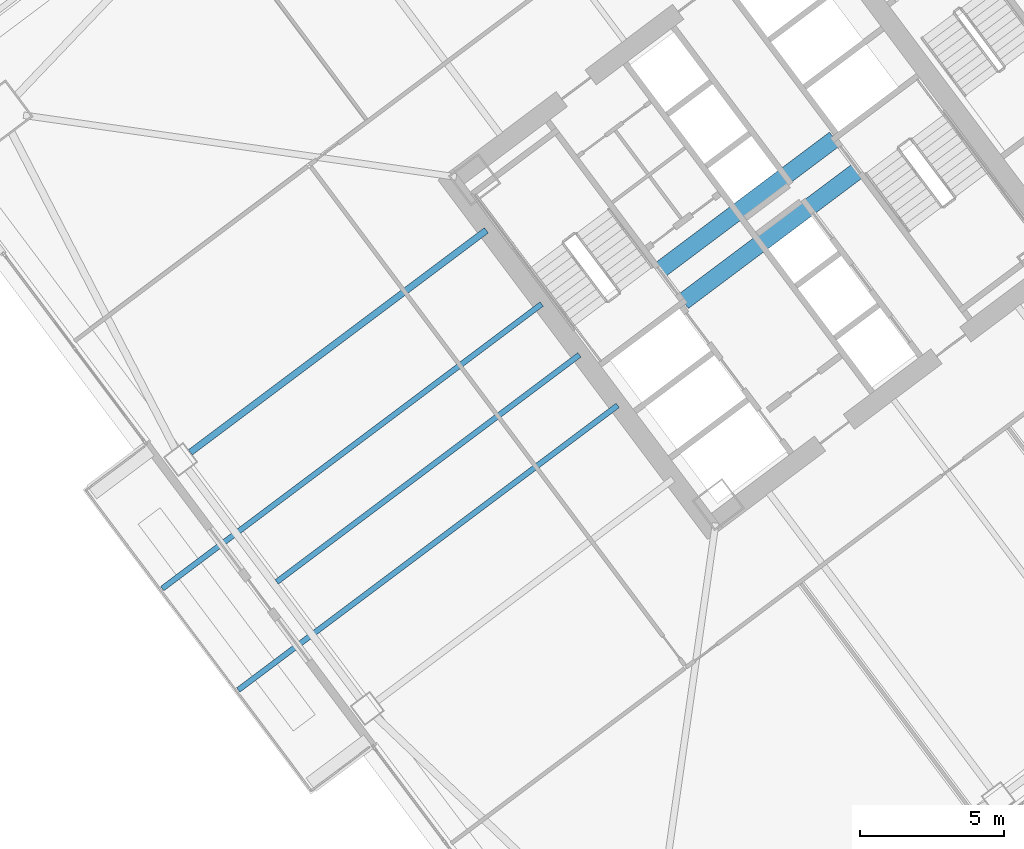
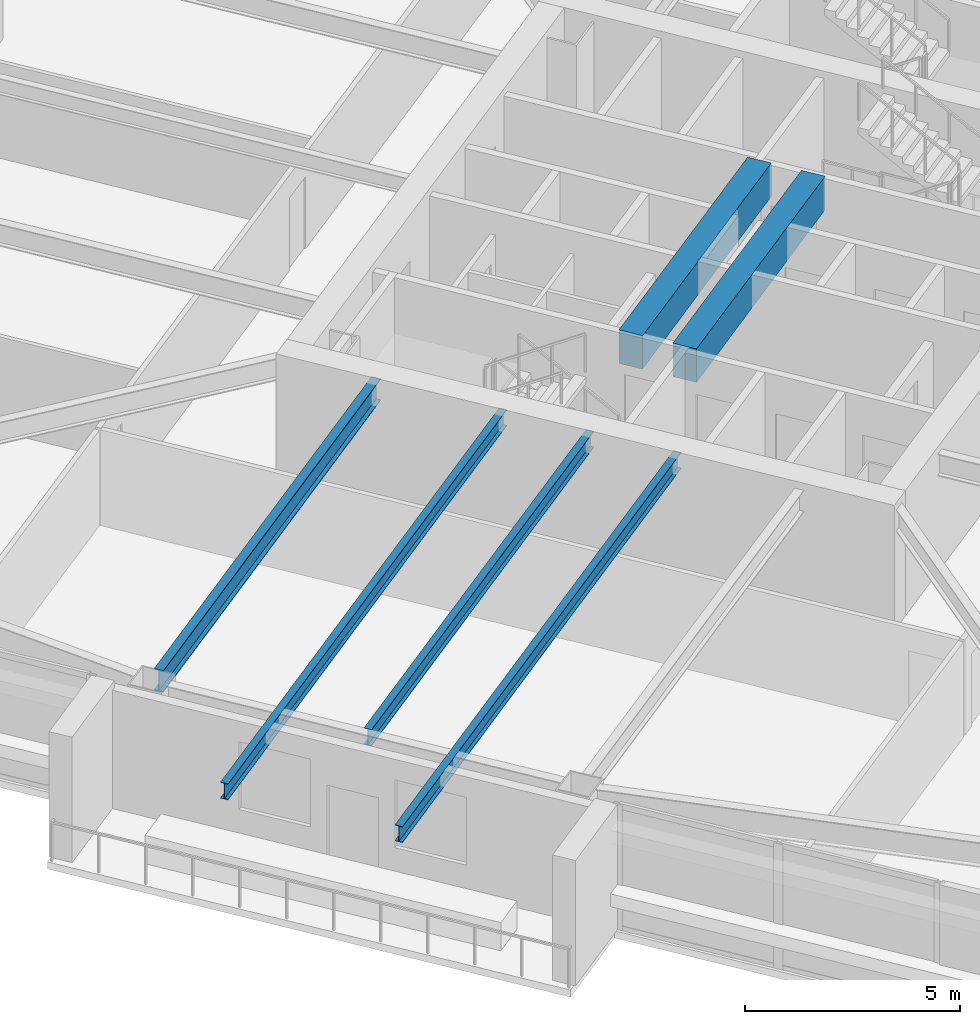
# One storey, part 22 of 46: 6 beams.
"""IFC4 building model written with IfcOpenShell, lengths in metres."""

from ifc_helpers import new_model, si_unit, direction, frame, origin, origin_2d, place, context, subcontext, project, spatial, rectangle, i_section, extrude, material, material_profile, profile_set, type_object, element, save


model = new_model("IFC4")

# Units and contexts
model_context = context("Model", 3, precision=1e-05, world=origin(), true_north=direction((0.0, 1.0)))
body_context = subcontext(model_context, "Body", "Model", "MODEL_VIEW")
ifc_project = project(units=[si_unit("LENGTHUNIT", "METRE"), si_unit("AREAUNIT", "SQUARE_METRE"), si_unit("VOLUMEUNIT", "CUBIC_METRE"), si_unit("PLANEANGLEUNIT", "RADIAN"), si_unit("MASSUNIT", "GRAM", prefix="KILO")], contexts=[model_context])

# Site, building, storey
site_placement = place(None, origin())
site = spatial("IfcSite", under=ifc_project, at=site_placement, CompositionType="ELEMENT")
building_placement = place(site_placement, origin())
building = spatial("IfcBuilding", under=site, at=building_placement, Name="Tashvorn Skyway Center", CompositionType="ELEMENT")
storey_placement = place(building_placement, frame((0.0, 0.0, 60.10009765625)))
storey = spatial("IfcBuildingStorey", under=building, at=storey_placement, Name="L15", CompositionType="ELEMENT", Elevation=60.10009765625)

# Beams
ifc_material_1 = material(Name="Steel ASTM A992 Grade 50", Category="steel")
ifc_material_profile_1 = material_profile(ifc_material_1, i_section(OverallWidth=0.22998046875, OverallDepth=0.616943359375, WebThickness=0.01318359375, FlangeThickness=0.022216796875, at=origin_2d()), Name="W24X94")
ifc_profile_set_1 = profile_set([ifc_material_profile_1], Name="Steel ASTM A992 Grade 50")
beam_type_1 = type_object("IfcBeamType", Name="BM-BEAM-W24X94", PredefinedType="BEAM", material=ifc_profile_set_1)
beam_1_placement = place(storey_placement, frame((94.256103515625, 23.94189453125, 3.04150390625), z_axis=(0.799986320265, 0.600018239213, 0.0), x_axis=(-0.600018239213, 0.799986320265, 0.0)))
element("IfcBeam", 1, at=beam_1_placement, inside=storey, type_object=beam_type_1, Name="Tower 2 L15 Primary Floor Girder FC-W1", PredefinedType="BEAM", context=body_context, shape_type="SweptSolid", body=[
    extrude(i_section(OverallWidth=0.22998046875, OverallDepth=0.616943359375, WebThickness=0.01318359375, FlangeThickness=0.022216796875, at=origin_2d()), origin(), (0.0, 0.0, 1.0), 12.849853515625),
])
ifc_material_profile_2 = material_profile(ifc_material_1, i_section(OverallWidth=0.19091796875, OverallDepth=0.4599609375, WebThickness=0.010009765625, FlangeThickness=0.01611328125, at=origin_2d()), Name="W18X55")
ifc_profile_set_2 = profile_set([ifc_material_profile_2], Name="Steel ASTM A992 Grade 50")
beam_type_2 = type_object("IfcBeamType", Name="BM-JOIST-W18X55", PredefinedType="JOIST", material=ifc_profile_set_2)
beam_2_placement = place(storey_placement, frame((107.76806640625, 27.325927734375, 3.119873046875), z_axis=(-0.799997770398, -0.600002972791, 0.0), x_axis=(0.600002972791, -0.799997770398, 0.0)))
element("IfcBeam", 2, at=beam_2_placement, inside=storey, type_object=beam_type_2, Name="Tower 2 L15 Secondary Composite Joist JW", PredefinedType="JOIST", context=body_context, shape_type="SweptSolid", body=[
    extrude(i_section(OverallWidth=0.19091796875, OverallDepth=0.4599609375, WebThickness=0.010009765625, FlangeThickness=0.01611328125, at=origin_2d()), origin(), (0.0, 0.0, 1.0), 13.139892578125),
])
for number, where, z_axis, x_axis, name in (
    (3, (109.095947265625, 25.572021484375, 3.119873046875), (-0.799998221201, -0.600002371724, 0.0), (0.600002371724, -0.799998221201, 0.0), "Tower 2 L16 Terrace Cantilever Outlooker 1"),
    (4, (106.4560546875, 29.092041015625, 3.119873046875), (-0.799998221201, -0.600002371724, 0.0), (0.600002371724, -0.799998221201, 0.0), "Tower 2 L16 Terrace Cantilever Outlooker 2"),
):
    element("IfcBeam", number, at=place(storey_placement, frame(where, z_axis=z_axis, x_axis=x_axis)), inside=storey, type_object=beam_type_2, Name=name, PredefinedType="JOIST", context=body_context, shape_type="SweptSolid", body=[
        extrude(i_section(OverallWidth=0.19091796875, OverallDepth=0.4599609375, WebThickness=0.010009765625, FlangeThickness=0.01611328125, at=origin_2d()), origin(), (0.0, 0.0, 1.0), 16.469970703125),
    ])
ifc_material_2 = material(Name="Concrete C60/75", Category="concrete")
ifc_material_profile_3 = material_profile(ifc_material_2, rectangle(XDim=0.60009765625, YDim=0.949951171875, at=origin_2d()), Name="RCB600x950")
ifc_profile_set_3 = profile_set([ifc_material_profile_3], Name="Concrete C60/75")
beam_type_3 = type_object("IfcBeamType", Name="BM-LINTEL-RCB600x950", PredefinedType="LINTEL", material=ifc_profile_set_3)
for number, where, z_axis, x_axis, name in (
    (5, (110.552001953125, 30.263916015625, 2.875), (0.8, 0.6, 0.0), (-0.6, 0.8, 0.0), "Tower 2 L15 Core Coupling Beam CN"),
    (6, (111.367919921875, 29.176025390625, 2.875), (0.8, 0.6, 0.0), (-0.6, 0.8, 0.0), "Tower 2 L15 Core Coupling Beam CS"),
):
    element("IfcBeam", number, at=place(storey_placement, frame(where, z_axis=z_axis, x_axis=x_axis)), inside=storey, type_object=beam_type_3, Name=name, PredefinedType="LINTEL", context=body_context, shape_type="SweptSolid", body=[
        extrude(rectangle(XDim=0.60009765625, YDim=0.949951171875, at=origin_2d()), origin(), (0.0, 0.0, 1.0), 7.60009765625),
    ])

save(model, "model.ifc")
